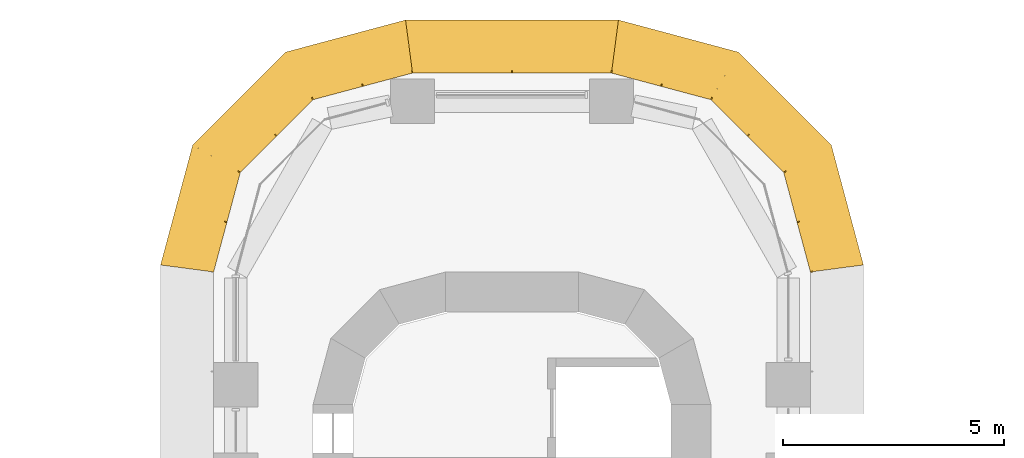
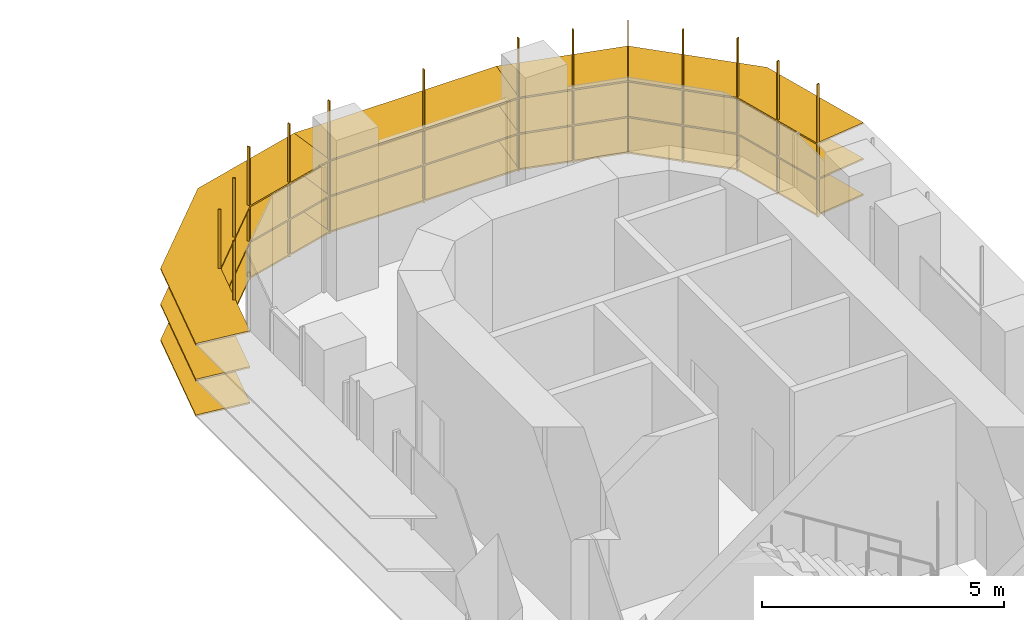
# One storey, part 23 of 23: 3 shading devices.
"""IFC4 building model written with IfcOpenShell, lengths in metres."""

from ifc_helpers import new_model, si_unit, direction, frame, origin, place, context, subcontext, project, spatial, polyline, outline, extrude, faceted_brep, source, transform, mapped, material, type_object, element, save


model = new_model("IFC4")

# Units and contexts
model_context = context("Model", 3, precision=1e-05, world=origin(), true_north=direction((0.0, 1.0)))
body_context = subcontext(model_context, "Body", "Model", "MODEL_VIEW")
ifc_project = project(units=[si_unit("LENGTHUNIT", "METRE"), si_unit("AREAUNIT", "SQUARE_METRE"), si_unit("VOLUMEUNIT", "CUBIC_METRE"), si_unit("PLANEANGLEUNIT", "RADIAN"), si_unit("MASSUNIT", "GRAM", prefix="KILO")], contexts=[model_context])

# Site, building, storey
site_placement = place(None, origin())
site = spatial("IfcSite", under=ifc_project, at=site_placement, CompositionType="ELEMENT")
building_placement = place(site_placement, origin())
building = spatial("IfcBuilding", under=site, at=building_placement, Name="Zarbagh Exchange Tower", CompositionType="ELEMENT")
storey_placement = place(building_placement, frame((0.0, 0.0, 60.60009765625)))
storey = spatial("IfcBuildingStorey", under=building, at=storey_placement, Name="L13", CompositionType="ELEMENT", Elevation=60.60009765625)

# Shading devices
ifc_material = material(Name="Anodised aluminium blades and brackets", Category="aluminium")
shading_device_type = type_object("IfcShadingDeviceType", Name="SUNSHADE louvre band, 0 degree blades", PredefinedType="JALOUSIE", material=ifc_material)
shared_shape_1 = source(origin(), body_context, "Body", "Brep", [
    faceted_brep([(0.0, 0.0, 0.0), (0.0, 0.0, -0.0400390625), (-0.157958984375, -1.199951171875, -0.0400390625), (-0.157958984375, -1.199951171875, 0.0), (2.65087890625, -1.199951171875, 0.0), (2.65087890625, -1.199951171875, -0.0400390625), (2.329345703125, 0.0, -0.0400390625), (2.329345703125, 0.0, 0.0)], [[[0, 1, 2, 3]], [[4, 5, 6, 7]], [[0, 7, 6, 1]], [[1, 6, 5, 2]], [[2, 5, 4, 3]], [[3, 4, 7, 0]]]),
])
shared_shape_2 = source(origin(), body_context, "Body", "Brep", [
    faceted_brep([(0.0, 0.0, 0.0), (0.0, 0.0, -0.0400390625), (-0.321533203125, -1.199951171875, -0.0400390625), (-0.321533203125, -1.199951171875, 0.0), (2.65087890625, -1.199951171875, 0.0), (2.65087890625, -1.199951171875, -0.0400390625), (2.329345703125, 0.0, -0.0400390625), (2.329345703125, 0.0, 0.0)], [[[0, 1, 2, 3]], [[4, 5, 6, 7]], [[0, 7, 6, 1]], [[1, 6, 5, 2]], [[2, 5, 4, 3]], [[3, 4, 7, 0]]]),
])
shared_shape_3 = source(origin(), body_context, "Body", "Brep", [
    faceted_brep([(0.0, 0.0, 0.0), (0.0, 0.0, -0.0400390625), (-0.321533203125, -1.199951171875, -0.0400390625), (-0.321533203125, -1.199951171875, 0.0), (2.4873046875, -1.199951171875, 0.0), (2.4873046875, -1.199951171875, -0.0400390625), (2.329345703125, 0.0, -0.0400390625), (2.329345703125, 0.0, 0.0)], [[[0, 1, 2, 3]], [[4, 5, 6, 7]], [[0, 7, 6, 1]], [[1, 6, 5, 2]], [[2, 5, 4, 3]], [[3, 4, 7, 0]]]),
])
shared_shape_4 = source(origin(), body_context, "Body", "SweptSolid", [
    extrude(outline(polyline([(0.0, -0.012451171875), (0.06005859375, -0.012451171875), (0.06005859375, 0.012451171875), (0.0, 0.012451171875), (0.0, -0.012451171875)])), origin(), (0.0, 0.0, 1.0), 3.35009765625),
])
placement = place(storey_placement, origin())
element("IfcShadingDevice", 1, at=placement, inside=storey, type_object=shading_device_type, Name="SS11 sunshade band", PredefinedType="JALOUSIE", context=body_context, shape_type="MappedRepresentation", body=[
    mapped(shared_shape_1, transform((6.75, 29.25, 2.699951171875), x_axis=(-0.258824779902, 0.965924289636, 0.0), y_axis=(-0.965924289636, -0.258824779902, 0.0), z_axis=(0.0, 0.0, 1.0))),
    mapped(shared_shape_1, transform((6.75, 29.25, 1.7998046875), x_axis=(-0.258824779902, 0.965924289636, 0.0), y_axis=(-0.965924289636, -0.258824779902, 0.0), z_axis=(0.0, 0.0, 1.0))),
    mapped(shared_shape_1, transform((6.75, 29.25, 0.89990234375), x_axis=(-0.258824779902, 0.965924289636, 0.0), y_axis=(-0.965924289636, -0.258824779902, 0.0), z_axis=(0.0, 0.0, 1.0))),
    mapped(shared_shape_2, transform((6.147216796875, 31.5, 2.699951171875), x_axis=(-0.707106781187, 0.707106781187, 0.0), y_axis=(-0.707106781187, -0.707106781187, 0.0), z_axis=(0.0, 0.0, 1.0))),
    mapped(shared_shape_2, transform((6.147216796875, 31.5, 1.7998046875), x_axis=(-0.707106781187, 0.707106781187, 0.0), y_axis=(-0.707106781187, -0.707106781187, 0.0), z_axis=(0.0, 0.0, 1.0))),
    mapped(shared_shape_2, transform((6.147216796875, 31.5, 0.89990234375), x_axis=(-0.707106781187, 0.707106781187, 0.0), y_axis=(-0.707106781187, -0.707106781187, 0.0), z_axis=(0.0, 0.0, 1.0))),
    mapped(shared_shape_3, transform((4.5, 33.147216796875, 2.699951171875), x_axis=(-0.965924289636, 0.258824779902, 0.0), y_axis=(-0.258824779902, -0.965924289636, 0.0), z_axis=(0.0, 0.0, 1.0))),
    mapped(shared_shape_3, transform((4.5, 33.147216796875, 1.7998046875), x_axis=(-0.965924289636, 0.258824779902, 0.0), y_axis=(-0.258824779902, -0.965924289636, 0.0), z_axis=(0.0, 0.0, 1.0))),
    mapped(shared_shape_3, transform((4.5, 33.147216796875, 0.89990234375), x_axis=(-0.965924289636, 0.258824779902, 0.0), y_axis=(-0.258824779902, -0.965924289636, 0.0), z_axis=(0.0, 0.0, 1.0))),
    mapped(shared_shape_4, transform((6.75, 29.25, 0.829833984375), x_axis=(0.991444457092, 0.130529263012, 0.0), y_axis=(-0.130529263012, 0.991444457092, 0.0), z_axis=(0.0, 0.0, 1.0))),
    mapped(shared_shape_4, transform((6.448486328125, 30.375, 0.829833984375), x_axis=(0.96592421511, 0.258825058029, 0.0), y_axis=(-0.258825058029, 0.96592421511, 0.0), z_axis=(0.0, 0.0, 1.0))),
    mapped(shared_shape_4, transform((6.147216796875, 31.5, 0.829833984375), x_axis=(0.866023812018, 0.50000275701, 0.0), y_axis=(-0.50000275701, 0.866023812018, 0.0), z_axis=(0.0, 0.0, 1.0))),
    mapped(shared_shape_4, transform((5.323486328125, 32.323486328125, 0.829833984375), x_axis=(0.707106781187, 0.707106781187, 0.0), y_axis=(-0.707106781187, 0.707106781187, 0.0), z_axis=(0.0, 0.0, 1.0))),
    mapped(shared_shape_4, transform((4.5, 33.147216796875, 0.829833984375), x_axis=(0.50000275701, 0.866023812018, 0.0), y_axis=(-0.866023812018, 0.50000275701, 0.0), z_axis=(0.0, 0.0, 1.0))),
    mapped(shared_shape_4, transform((3.375, 33.448486328125, 0.829833984375), x_axis=(0.258825058029, 0.96592421511, 0.0), y_axis=(-0.96592421511, 0.258825058029, 0.0), z_axis=(0.0, 0.0, 1.0))),
])
element("IfcShadingDevice", 2, at=placement, inside=storey, type_object=shading_device_type, Name="SS13 sunshade band", PredefinedType="JALOUSIE", context=body_context, shape_type="MappedRepresentation", body=[
    mapped(shared_shape_1, transform((-2.25, 33.75, 2.699951171875), x_axis=(-0.965924289636, -0.258824779902, 0.0), y_axis=(0.258824779902, -0.965924289636, 0.0), z_axis=(0.0, 0.0, 1.0))),
    mapped(shared_shape_1, transform((-2.25, 33.75, 1.7998046875), x_axis=(-0.965924289636, -0.258824779902, 0.0), y_axis=(0.258824779902, -0.965924289636, 0.0), z_axis=(0.0, 0.0, 1.0))),
    mapped(shared_shape_1, transform((-2.25, 33.75, 0.89990234375), x_axis=(-0.965924289636, -0.258824779902, 0.0), y_axis=(0.258824779902, -0.965924289636, 0.0), z_axis=(0.0, 0.0, 1.0))),
    mapped(shared_shape_2, transform((-4.5, 33.147216796875, 2.699951171875), x_axis=(-0.707106781187, -0.707106781187, 0.0), y_axis=(0.707106781187, -0.707106781187, 0.0), z_axis=(0.0, 0.0, 1.0))),
    mapped(shared_shape_2, transform((-4.5, 33.147216796875, 1.7998046875), x_axis=(-0.707106781187, -0.707106781187, 0.0), y_axis=(0.707106781187, -0.707106781187, 0.0), z_axis=(0.0, 0.0, 1.0))),
    mapped(shared_shape_2, transform((-4.5, 33.147216796875, 0.89990234375), x_axis=(-0.707106781187, -0.707106781187, 0.0), y_axis=(0.707106781187, -0.707106781187, 0.0), z_axis=(0.0, 0.0, 1.0))),
    mapped(shared_shape_3, transform((-6.147216796875, 31.5, 2.699951171875), x_axis=(-0.258824779902, -0.965924289636, 0.0), y_axis=(0.965924289636, -0.258824779902, 0.0), z_axis=(0.0, 0.0, 1.0))),
    mapped(shared_shape_3, transform((-6.147216796875, 31.5, 1.7998046875), x_axis=(-0.258824779902, -0.965924289636, 0.0), y_axis=(0.965924289636, -0.258824779902, 0.0), z_axis=(0.0, 0.0, 1.0))),
    mapped(shared_shape_3, transform((-6.147216796875, 31.5, 0.89990234375), x_axis=(-0.258824779902, -0.965924289636, 0.0), y_axis=(0.965924289636, -0.258824779902, 0.0), z_axis=(0.0, 0.0, 1.0))),
    mapped(shared_shape_4, transform((-2.25, 33.75, 0.829833984375), x_axis=(-0.130529263012, 0.991444457092, 0.0), y_axis=(-0.991444457092, -0.130529263012, 0.0), z_axis=(0.0, 0.0, 1.0))),
    mapped(shared_shape_4, transform((-3.375, 33.448486328125, 0.829833984375), x_axis=(-0.258825058029, 0.96592421511, 0.0), y_axis=(-0.96592421511, -0.258825058029, 0.0), z_axis=(0.0, 0.0, 1.0))),
    mapped(shared_shape_4, transform((-4.5, 33.147216796875, 0.829833984375), x_axis=(-0.50000275701, 0.866023812018, 0.0), y_axis=(-0.866023812018, -0.50000275701, 0.0), z_axis=(0.0, 0.0, 1.0))),
    mapped(shared_shape_4, transform((-5.323486328125, 32.323486328125, 0.829833984375), x_axis=(-0.707106781187, 0.707106781187, 0.0), y_axis=(-0.707106781187, -0.707106781187, 0.0), z_axis=(0.0, 0.0, 1.0))),
    mapped(shared_shape_4, transform((-6.147216796875, 31.5, 0.829833984375), x_axis=(-0.866023812018, 0.50000275701, 0.0), y_axis=(-0.50000275701, -0.866023812018, 0.0), z_axis=(0.0, 0.0, 1.0))),
    mapped(shared_shape_4, transform((-6.448486328125, 30.375, 0.829833984375), x_axis=(-0.96592421511, 0.258825058029, 0.0), y_axis=(-0.258825058029, -0.96592421511, 0.0), z_axis=(0.0, 0.0, 1.0))),
])
shared_shape_5 = source(origin(), body_context, "Body", "Brep", [
    faceted_brep([(0.0, 0.0, 0.0), (0.0, 0.0, -0.0400390625), (-0.157958984375, -1.199951171875, -0.0400390625), (-0.157958984375, -1.199951171875, 0.0), (4.657958984375, -1.199951171875, 0.0), (4.657958984375, -1.199951171875, -0.0400390625), (4.5, 0.0, -0.0400390625), (4.5, 0.0, 0.0)], [[[0, 1, 2, 3]], [[4, 5, 6, 7]], [[0, 7, 6, 1]], [[1, 6, 5, 2]], [[2, 5, 4, 3]], [[3, 4, 7, 0]]]),
])
element("IfcShadingDevice", 3, at=placement, inside=storey, type_object=shading_device_type, Name="SS12 sunshade band", PredefinedType="JALOUSIE", context=body_context, shape_type="MappedRepresentation", body=[
    mapped(shared_shape_5, transform((2.25, 33.75, 2.699951171875), x_axis=(-1.0, 0.0, 0.0), y_axis=(0.0, -1.0, 0.0), z_axis=(0.0, 0.0, 1.0))),
    mapped(shared_shape_5, transform((2.25, 33.75, 1.7998046875), x_axis=(-1.0, 0.0, 0.0), y_axis=(0.0, -1.0, 0.0), z_axis=(0.0, 0.0, 1.0))),
    mapped(shared_shape_5, transform((2.25, 33.75, 0.89990234375), x_axis=(-1.0, 0.0, 0.0), y_axis=(0.0, -1.0, 0.0), z_axis=(0.0, 0.0, 1.0))),
    mapped(shared_shape_4, transform((2.25, 33.75, 0.829833984375), x_axis=(0.130529263012, 0.991444457092, 0.0), y_axis=(-0.991444457092, 0.130529263012, 0.0), z_axis=(0.0, 0.0, 1.0))),
    mapped(shared_shape_4, transform((0.0, 33.75, 0.829833984375), x_axis=(0.0, 1.0, 0.0), y_axis=(-1.0, 0.0, 0.0), z_axis=(0.0, 0.0, 1.0))),
])

save(model, "model.ifc")
